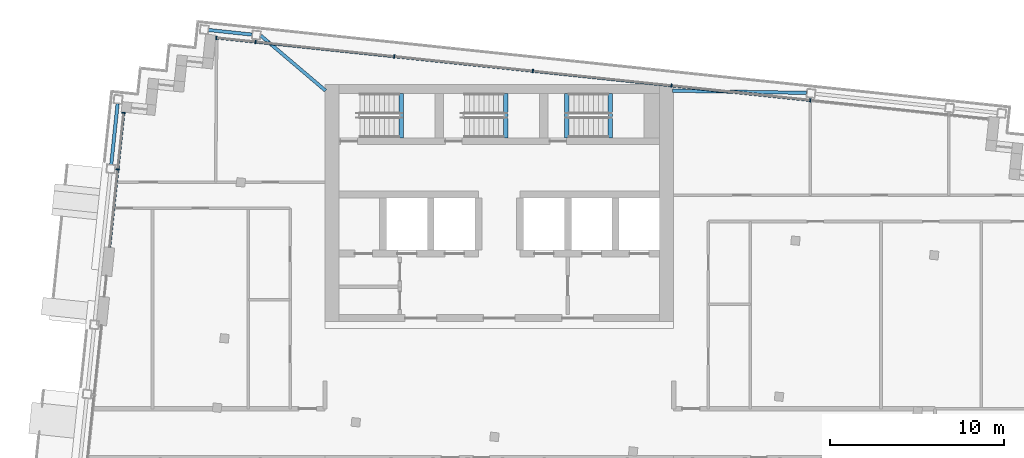
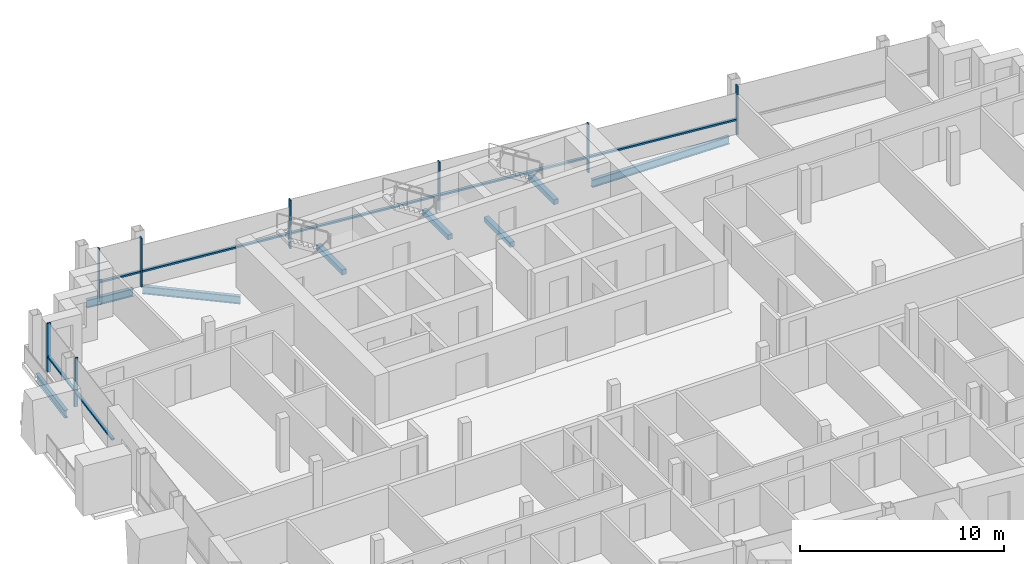
# One storey, part 5 of 17: 15 members, 8 beams, 2 elements without a shape of their own.
"""IFC4 building model written with IfcOpenShell, lengths in metres."""

from ifc_helpers import new_model, si_unit, direction, frame, origin, origin_2d, place, context, subcontext, project, spatial, rectangle, i_section, extrude, material, material_profile, profile_set, type_object, element, aggregate, save


model = new_model("IFC4")

# Units and contexts
model_context = context("Model", 3, precision=1e-05, world=origin(), true_north=direction((0.0, 1.0)))
body_context = subcontext(model_context, "Body", "Model", "MODEL_VIEW")
ifc_project = project(units=[si_unit("LENGTHUNIT", "METRE"), si_unit("AREAUNIT", "SQUARE_METRE"), si_unit("VOLUMEUNIT", "CUBIC_METRE"), si_unit("PLANEANGLEUNIT", "RADIAN"), si_unit("MASSUNIT", "GRAM", prefix="KILO")], contexts=[model_context])

# Site, building, storey
site_placement = place(None, origin())
site = spatial("IfcSite", under=ifc_project, at=site_placement, CompositionType="ELEMENT")
building_placement = place(site_placement, origin())
building = spatial("IfcBuilding", under=site, at=building_placement, Name="Vidyagriha Tower", CompositionType="ELEMENT")
storey_placement = place(building_placement, frame((0.0, 0.0, 262.699951171875)))
storey = spatial("IfcBuildingStorey", under=building, at=storey_placement, Name="L68", CompositionType="ELEMENT", Elevation=262.699951171875)

# Beams
ifc_material_1 = material(Name="Steel ASTM A992 Grade 50", Category="steel")
ifc_material_profile_1 = material_profile(ifc_material_1, i_section(OverallWidth=0.19189453125, OverallDepth=0.46240234375, WebThickness=0.010498046875, FlangeThickness=0.017578125, at=origin_2d()), Name="W18X60")
ifc_profile_set_1 = profile_set([ifc_material_profile_1], Name="Steel ASTM A992 Grade 50")
beam_type_1 = type_object("IfcBeamType", Name="Edge beam W18X60", PredefinedType="SPANDREL", material=ifc_profile_set_1)
beam_1_placement = place(storey_placement, frame((-22.263916015625, 15.422607421875, -0.510986328125), z_axis=(0.104495960989, 0.994525310958, 0.0), x_axis=(-0.994525310958, 0.104495960989, 0.0)))
element("IfcBeam", 1, at=beam_1_placement, inside=storey, type_object=beam_type_1, Name="st-beam-L68-W12", PredefinedType="SPANDREL", context=body_context, shape_type="SweptSolid", body=[
    extrude(i_section(OverallWidth=0.19189453125, OverallDepth=0.46240234375, WebThickness=0.010498046875, FlangeThickness=0.017578125, at=origin_2d()), origin(), (0.0, 0.0, 1.0), 3.499755859375),
])
beam_2_placement = place(storey_placement, frame((-16.677490234375, 23.130859375, -0.510986328125), z_axis=(0.994514546653, -0.104598357995, 0.0), x_axis=(0.104598357995, 0.994514546653, 0.0)))
element("IfcBeam", 2, at=beam_2_placement, inside=storey, type_object=beam_type_1, Name="st-beam-L68-NW18", PredefinedType="SPANDREL", context=body_context, shape_type="SweptSolid", body=[
    extrude(i_section(OverallWidth=0.19189453125, OverallDepth=0.46240234375, WebThickness=0.010498046875, FlangeThickness=0.017578125, at=origin_2d()), origin(), (0.0, 0.0, 1.0), 2.499755859375),
])
beam_3_placement = place(storey_placement, frame((-13.694091796875, 22.817138671875, -0.510986328125), z_axis=(0.762224865329, -0.647312331625, 0.0), x_axis=(0.647312331625, 0.762224865329, 0.0)))
element("IfcBeam", 3, at=beam_3_placement, inside=storey, type_object=beam_type_1, Name="st-beam-L68-NC21", PredefinedType="SPANDREL", context=body_context, shape_type="SweptSolid", body=[
    extrude(i_section(OverallWidth=0.19189453125, OverallDepth=0.46240234375, WebThickness=0.010498046875, FlangeThickness=0.017578125, at=origin_2d()), origin(), (0.0, 0.0, 1.0), 4.892822265625),
])
beam_4_placement = place(storey_placement, frame((9.92578125, 19.64990234375, -0.510986328125), z_axis=(0.99986748631, -0.016279122203, 0.0), x_axis=(0.016279122203, 0.99986748631, 0.0)))
element("IfcBeam", 4, at=beam_4_placement, inside=storey, type_object=beam_type_1, Name="st-beam-L68-NC22", PredefinedType="SPANDREL", context=body_context, shape_type="SweptSolid", body=[
    extrude(i_section(OverallWidth=0.19189453125, OverallDepth=0.46240234375, WebThickness=0.010498046875, FlangeThickness=0.017578125, at=origin_2d()), origin(), (0.0, 0.0, 1.0), 7.70849609375),
])

# Curtain wall, members
ifc_material_2 = material(Name="Aluminium and glass curtain wall", Category="aluminium")
curtain_wall_type = type_object("IfcCurtainWallType", Name="Dwelling skin unitised curtain wall", PredefinedType="USERDEFINED", material=ifc_material_2)
curtain_wall_1_placement = place(storey_placement, origin())
curtain_wall_1 = element("IfcCurtainWall", 5, at=curtain_wall_1_placement, inside=storey, type_object=curtain_wall_type, Name="CW1 dwelling skin", ObjectType="UNITISED", PredefinedType="USERDEFINED")
ifc_material_3 = material(Name="Aluminium black anodised", Category="aluminium")
ifc_material_profile_2 = material_profile(ifc_material_3, rectangle(XDim=0.199951171875, YDim=0.070068359375, at=origin_2d()), Name="Mullion 70x200 black aluminium")
ifc_profile_set_2 = profile_set([ifc_material_profile_2], Name="Aluminium black anodised")
member_type_1 = type_object("IfcMemberType", Name="Mullion 70x200 black aluminium", PredefinedType="MULLION", material=ifc_profile_set_2)
member_1_placement = place(storey_placement, frame((17.840087890625, 19.1005859375, 0.0), z_axis=(0.0, 0.0, 1.0), x_axis=(-0.104528852722, -0.994521854435, 0.0)))
member_1 = element("IfcMember", 6, at=member_1_placement, type_object=member_type_1, Name="CW1 mullion 3", PredefinedType="MULLION", context=body_context, shape_type="SweptSolid", body=[
    extrude(rectangle(XDim=0.199951171875, YDim=0.070068359375, at=origin_2d()), origin(), (0.0, 0.0, 1.0), 2.920166015625),
])
member_2_placement = place(storey_placement, frame((9.884033203125, 19.936767578125, 0.0), z_axis=(0.0, 0.0, 1.0), x_axis=(-0.104528852722, -0.994521854435, 0.0)))
member_2 = element("IfcMember", 7, at=member_2_placement, type_object=member_type_1, Name="CW1 mullion 4", PredefinedType="MULLION", context=body_context, shape_type="SweptSolid", body=[
    extrude(rectangle(XDim=0.199951171875, YDim=0.070068359375, at=origin_2d()), origin(), (0.0, 0.0, 1.0), 2.920166015625),
])
member_3_placement = place(storey_placement, frame((1.927978515625, 20.773193359375, 0.0), z_axis=(0.0, 0.0, 1.0), x_axis=(-0.104528852722, -0.994521854435, 0.0)))
member_3 = element("IfcMember", 8, at=member_3_placement, type_object=member_type_1, Name="CW1 mullion 5", PredefinedType="MULLION", context=body_context, shape_type="SweptSolid", body=[
    extrude(rectangle(XDim=0.199951171875, YDim=0.070068359375, at=origin_2d()), origin(), (0.0, 0.0, 1.0), 2.920166015625),
])
member_4_placement = place(storey_placement, frame((-6.0283203125, 21.609375, 0.0), z_axis=(0.0, 0.0, 1.0), x_axis=(-0.104528852722, -0.994521854435, 0.0)))
member_4 = element("IfcMember", 9, at=member_4_placement, type_object=member_type_1, Name="CW1 mullion 6", PredefinedType="MULLION", context=body_context, shape_type="SweptSolid", body=[
    extrude(rectangle(XDim=0.199951171875, YDim=0.070068359375, at=origin_2d()), origin(), (0.0, 0.0, 1.0), 2.920166015625),
])
member_5_placement = place(storey_placement, frame((-13.984375, 22.445556640625, 0.0), z_axis=(0.0, 0.0, 1.0), x_axis=(-0.104528852722, -0.994521854435, 0.0)))
member_5 = element("IfcMember", 10, at=member_5_placement, type_object=member_type_1, Name="CW1 mullion 7", PredefinedType="MULLION", context=body_context, shape_type="SweptSolid", body=[
    extrude(rectangle(XDim=0.199951171875, YDim=0.070068359375, at=origin_2d()), origin(), (0.0, 0.0, 1.0), 2.920166015625),
])
member_6_placement = place(storey_placement, frame((-16.2373046875, 22.682373046875, 0.0), z_axis=(0.0, 0.0, 1.0), x_axis=(-0.104528852722, -0.994521854435, 0.0)))
member_6 = element("IfcMember", 11, at=member_6_placement, type_object=member_type_1, Name="CW1 mullion 8", PredefinedType="MULLION", context=body_context, shape_type="SweptSolid", body=[
    extrude(rectangle(XDim=0.199951171875, YDim=0.070068359375, at=origin_2d()), origin(), (0.0, 0.0, 1.0), 2.920166015625),
])

curtain_wall_2_placement = place(storey_placement, origin())
curtain_wall_2 = element("IfcCurtainWall", 12, at=curtain_wall_2_placement, inside=storey, type_object=curtain_wall_type, Name="CW1 dwelling skin", ObjectType="UNITISED", PredefinedType="USERDEFINED")
member_7_placement = place(storey_placement, frame((-21.551025390625, 18.379150390625, 0.0), z_axis=(0.0, 0.0, 1.0), x_axis=(0.994522229676, -0.104525282489, 0.0)))
member_7 = element("IfcMember", 13, at=member_7_placement, type_object=member_type_1, Name="CW1 mullion 1", PredefinedType="MULLION", context=body_context, shape_type="SweptSolid", body=[
    extrude(rectangle(XDim=0.199951171875, YDim=0.070068359375, at=origin_2d()), origin(), (0.0, 0.0, 1.0), 2.920166015625),
])
member_8_placement = place(storey_placement, frame((-21.892333984375, 15.132080078125, 0.0), z_axis=(0.0, 0.0, 1.0), x_axis=(0.994522229676, -0.104525282489, 0.0)))
member_8 = element("IfcMember", 14, at=member_8_placement, type_object=member_type_1, Name="CW1 mullion 2", PredefinedType="MULLION", context=body_context, shape_type="SweptSolid", body=[
    extrude(rectangle(XDim=0.199951171875, YDim=0.070068359375, at=origin_2d()), origin(), (0.0, 0.0, 1.0), 2.920166015625),
])

# Beams
ifc_material_4 = material(Name="Concrete C40/50", Category="concrete")
ifc_material_profile_3 = material_profile(ifc_material_4, rectangle(XDim=0.25, YDim=0.300048828125, at=origin_2d()), Name="Stair landing bearing beam 250x300")
ifc_profile_set_3 = profile_set([ifc_material_profile_3], Name="Concrete C40/50")
beam_type_2 = type_object("IfcBeamType", Name="Stair landing bearing beam 250x300", PredefinedType="BEAM", material=ifc_profile_set_3)
for number, where, z_axis, x_axis, name in (
    (15, (3.875, 16.949951171875, -0.429931640625), (0.0, 1.0, 0.0), (-1.0, 0.0, 0.0), "ST3 floor landing bearing beam L68"),
    (16, (-5.635009765625, 16.949951171875, 1.25), (0.0, 1.0, 0.0), (-1.0, 0.0, 0.0), "ST1 landing bearing beam L68"),
    (17, (0.364990234375, 16.949951171875, 1.25), (0.0, 1.0, 0.0), (-1.0, 0.0, 0.0), "ST2 landing bearing beam L68"),
    (18, (6.364990234375, 16.949951171875, 1.25), (0.0, 1.0, 0.0), (-1.0, 0.0, 0.0), "ST3 landing bearing beam L68"),
):
    element("IfcBeam", number, at=place(storey_placement, frame(where, z_axis=z_axis, x_axis=x_axis)), inside=storey, type_object=beam_type_2, Name=name, PredefinedType="BEAM", context=body_context, shape_type="SweptSolid", body=[
        extrude(rectangle(XDim=0.25, YDim=0.300048828125, at=origin_2d()), origin(), (0.0, 0.0, 1.0), 2.550048828125),
    ])

# Member
ifc_material_5 = material(Name="Aluminium black anodised", Category="aluminium")
ifc_material_profile_4 = material_profile(ifc_material_5, rectangle(XDim=0.159912109375, YDim=0.10009765625, at=origin_2d()), Name="Transom 100x160 black aluminium")
ifc_profile_set_4 = profile_set([ifc_material_profile_4], Name="Aluminium black anodised")
member_type_2 = type_object("IfcMemberType", Name="Transom 100x160 black aluminium", PredefinedType="USERDEFINED", material=ifc_profile_set_4)
member_9_placement = place(storey_placement, frame((17.805419921875, 19.104248046875, 0.900146484375), z_axis=(-0.994522814543, 0.104519717539, 0.0), x_axis=(-0.104519717539, -0.994522814543, 0.0)))
member_9 = element("IfcMember", 19, at=member_9_placement, type_object=member_type_2, Name="CW1 transom 3.1", ObjectType="TRANSOM", PredefinedType="USERDEFINED", context=body_context, shape_type="SweptSolid", body=[
    extrude(rectangle(XDim=0.159912109375, YDim=0.10009765625, at=origin_2d()), origin(), (0.0, 0.0, 1.0), 7.93017578125),
])

member_10_placement = place(storey_placement, frame((9.84912109375, 19.9404296875, 0.900146484375), z_axis=(-0.994519277397, 0.104553368605, 0.0), x_axis=(-0.104553368605, -0.994519277397, 0.0)))
member_10 = element("IfcMember", 20, at=member_10_placement, type_object=member_type_2, Name="CW1 transom 4.1", ObjectType="TRANSOM", PredefinedType="USERDEFINED", context=body_context, shape_type="SweptSolid", body=[
    extrude(rectangle(XDim=0.159912109375, YDim=0.10009765625, at=origin_2d()), origin(), (0.0, 0.0, 1.0), 7.929931640625),
])

member_11_placement = place(storey_placement, frame((1.89306640625, 20.77685546875, 0.900146484375), z_axis=(-0.994522478205, 0.104522917794, 0.0), x_axis=(-0.104522917794, -0.994522478205, 0.0)))
member_11 = element("IfcMember", 21, at=member_11_placement, type_object=member_type_2, Name="CW1 transom 5.1", ObjectType="TRANSOM", PredefinedType="USERDEFINED", context=body_context, shape_type="SweptSolid", body=[
    extrude(rectangle(XDim=0.159912109375, YDim=0.10009765625, at=origin_2d()), origin(), (0.0, 0.0, 1.0), 7.929931640625),
])

member_12_placement = place(storey_placement, frame((-6.06298828125, 21.613037109375, 0.900146484375), z_axis=(-0.994522814543, 0.104519717539, 0.0), x_axis=(-0.104519717539, -0.994522814543, 0.0)))
member_12 = element("IfcMember", 22, at=member_12_placement, type_object=member_type_2, Name="CW1 transom 6.1", ObjectType="TRANSOM", PredefinedType="USERDEFINED", context=body_context, shape_type="SweptSolid", body=[
    extrude(rectangle(XDim=0.159912109375, YDim=0.10009765625, at=origin_2d()), origin(), (0.0, 0.0, 1.0), 7.93017578125),
])

member_13_placement = place(storey_placement, frame((-14.019287109375, 22.44921875, 0.900146484375), z_axis=(-0.994520069272, 0.104545835956, 0.0), x_axis=(-0.104545835956, -0.994520069272, 0.0)))
member_13 = element("IfcMember", 23, at=member_13_placement, type_object=member_type_2, Name="CW1 transom 7.1", ObjectType="TRANSOM", PredefinedType="USERDEFINED", context=body_context, shape_type="SweptSolid", body=[
    extrude(rectangle(XDim=0.159912109375, YDim=0.10009765625, at=origin_2d()), origin(), (0.0, 0.0, 1.0), 2.195068359375),
])

aggregate(curtain_wall_1, [member_1, member_2, member_3, member_4, member_5, member_6, member_9, member_10, member_11, member_12, member_13])

member_14_placement = place(storey_placement, frame((-21.5546875, 18.344482421875, 0.900146484375), z_axis=(-0.104533631179, -0.994521352185, 0.0), x_axis=(0.994521352185, -0.104533631179, 0.0)))
member_14 = element("IfcMember", 24, at=member_14_placement, type_object=member_type_2, Name="CW1 transom 1.1", ObjectType="TRANSOM", PredefinedType="USERDEFINED", context=body_context, shape_type="SweptSolid", body=[
    extrude(rectangle(XDim=0.159912109375, YDim=0.10009765625, at=origin_2d()), origin(), (0.0, 0.0, 1.0), 3.195068359375),
])

member_15_placement = place(storey_placement, frame((-21.89599609375, 15.097412109375, 0.900146484375), z_axis=(-0.104542473379, -0.994520422746, 0.0), x_axis=(0.994520422746, -0.104542473379, 0.0)))
member_15 = element("IfcMember", 25, at=member_15_placement, type_object=member_type_2, Name="CW1 transom 2.1", ObjectType="TRANSOM", PredefinedType="USERDEFINED", context=body_context, shape_type="SweptSolid", body=[
    extrude(rectangle(XDim=0.159912109375, YDim=0.10009765625, at=origin_2d()), origin(), (0.0, 0.0, 1.0), 4.465087890625),
])

aggregate(curtain_wall_2, [member_7, member_8, member_14, member_15])

save(model, "model.ifc")
